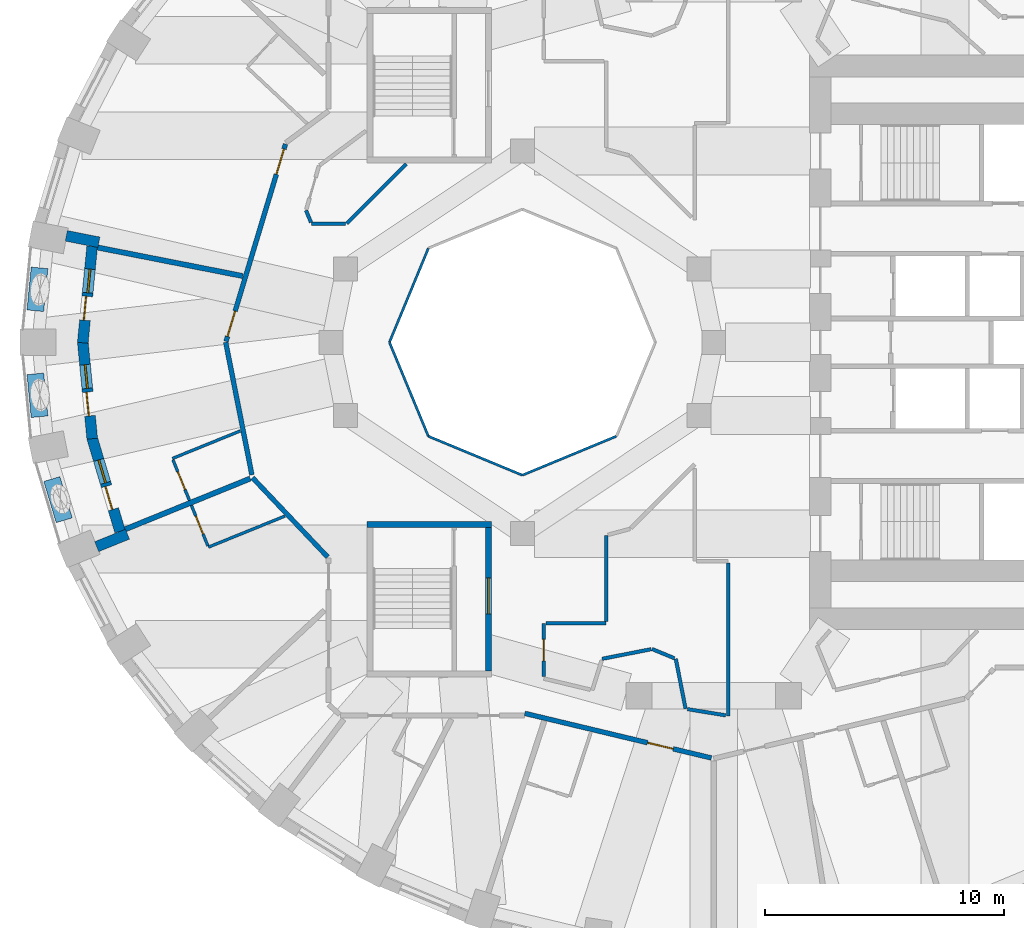
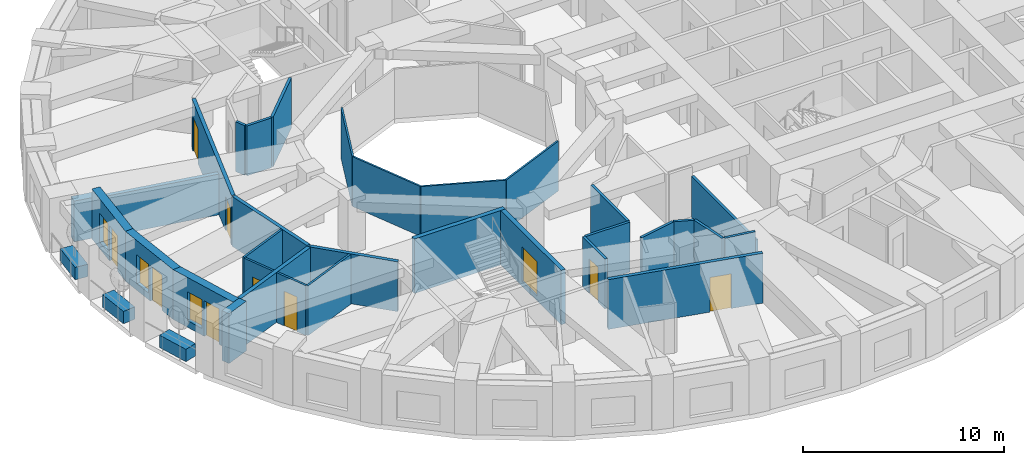
# One storey, part 4 of 14: 35 walls, 10 doors, 3 windows, 13 openings.
"""IFC4 building model written with IfcOpenShell, lengths in metres."""

from ifc_helpers import new_model, si_unit, direction, frame, frame_2d, origin, place, context, subcontext, project, spatial, rectangle, extrude, material, layer, layer_set, constituent, constituent_set, type_object, element, fill, save


model = new_model("IFC4")

# Units and contexts
model_context = context("Model", 3, precision=1e-05, world=origin(), true_north=direction((0.0, 1.0)))
body_context = subcontext(model_context, "Body", "Model", "MODEL_VIEW")
ifc_project = project(units=[si_unit("LENGTHUNIT", "METRE"), si_unit("AREAUNIT", "SQUARE_METRE"), si_unit("VOLUMEUNIT", "CUBIC_METRE"), si_unit("PLANEANGLEUNIT", "RADIAN"), si_unit("MASSUNIT", "GRAM", prefix="KILO")], contexts=[model_context])

# Site, building, storey
site_placement = place(None, origin())
site = spatial("IfcSite", under=ifc_project, at=site_placement, CompositionType="ELEMENT")
building_placement = place(site_placement, origin())
building = spatial("IfcBuilding", under=site, at=building_placement, Name="Taillehof Tower", CompositionType="ELEMENT")
storey_placement = place(building_placement, frame((0.0, 0.0, 25.0)))
storey = spatial("IfcBuildingStorey", under=building, at=storey_placement, Name="L05", CompositionType="ELEMENT", Elevation=25.0)

# Walls
ifc_material_1 = material(Name="Fire-resisting glass in steel frame", Category="steel")
ifc_layer_1 = layer(ifc_material_1, 0.10009765625)
ifc_layer_set_1 = layer_set([ifc_layer_1], Name="Atrium fire-resisting screen EI 60 100")
wall_type_1 = type_object("IfcWallType", Name="Atrium fire-resisting screen EI 60 100", PredefinedType="PARTITIONING", material=ifc_layer_set_1)
for number, where, z_axis, x_axis, name in (
    (1, (-4.07275390625, -3.92724609375, 0.0), (0.0, 0.0, 1.0), (-0.923860025149, -0.382730523909, 0.0), "Atrium screen"),
    (2, (-8.0, -5.55419921875, 0.0), (0.0, 0.0, 1.0), (-0.923860025149, 0.382730523909, 0.0), "Atrium screen"),
    (3, (-11.92724609375, -3.92724609375, 0.0), (0.0, 0.0, 1.0), (-0.382730523909, 0.923860025149, 0.0), "Atrium screen"),
    (4, (-13.55419921875, 0.0, 0.0), (0.0, 0.0, 1.0), (0.382730523909, 0.923860025149, 0.0), "Atrium screen"),
):
    element("IfcWall", number, at=place(storey_placement, frame(where, z_axis=z_axis, x_axis=x_axis)), inside=storey, type_object=wall_type_1, Name=name, PredefinedType="PARTITIONING", context=body_context, shape_type="SweptSolid", body=[
        extrude(rectangle(XDim=4.2509765625, YDim=0.10009765625, at=frame_2d((2.12548828125, 0.0))), origin(), (0.0, 0.0, 1.0), 3.02001953125),
    ])
ifc_material_2 = material(Name="Brick masonry", Category="masonry")
ifc_layer_2 = layer(ifc_material_2, 0.449951171875)
ifc_layer_set_2 = layer_set([ifc_layer_2], Name="Brick infill wall 450")
wall_type_2 = type_object("IfcWallType", Name="Brick infill wall 450", PredefinedType="SOLIDWALL", material=ifc_layer_set_2)
wall_1_placement = place(storey_placement, frame((-27.06396484375, 4.449951171875, 0.0), z_axis=(0.0, 0.0, 1.0), x_axis=(0.98123042829, -0.192838913596, 0.0)))
element("IfcWall", 5, at=wall_1_placement, inside=storey, type_object=wall_type_2, Name="Brick reveal L05 pocket 5", PredefinedType="SOLIDWALL", context=body_context, shape_type="SweptSolid", body=[
    extrude(rectangle(XDim=1.39013671875, YDim=0.449951171875, at=frame_2d((0.695068359375, 0.0))), origin(), (0.0, 0.0, 1.0), 2.469970703125),
])
wall_2_placement = place(storey_placement, frame((-25.795654296875, -8.54443359375, 0.0), z_axis=(0.0, 0.0, 1.0), x_axis=(0.926575599743, 0.376108572039, 0.0)))
element("IfcWall", 6, at=wall_2_placement, inside=storey, type_object=wall_type_2, Name="Brick reveal L05 pocket 5", PredefinedType="SOLIDWALL", context=body_context, shape_type="SweptSolid", body=[
    extrude(rectangle(XDim=1.390380859375, YDim=0.449951171875, at=frame_2d((0.6953125, 0.0))), origin(), (0.0, 0.0, 1.0), 3.02001953125),
])

# Wall, openings, door, window
wall_3_placement = place(storey_placement, frame((-25.982666015625, 4.008056640625, 0.0), z_axis=(0.0, 0.0, 1.0), x_axis=(-0.097133468736, -0.995271364629, 0.0)))
wall_3 = element("IfcWall", 7, at=wall_3_placement, inside=storey, type_object=wall_type_2, Name="Brick wall L05 pocket bay 18", PredefinedType="SOLIDWALL", context=body_context, shape_type="SweptSolid", body=[
    extrude(rectangle(XDim=4.049072265625, YDim=0.449951171875, at=frame_2d((2.0244140625, 0.0))), origin(), (0.0, 0.0, 1.0), 3.02001953125),
])
opening_1_placement = place(wall_3_placement, frame((0.949462890625, 0.0, 0.39990234375)))
opening_1 = element("IfcOpeningElement", 8, at=opening_1_placement, cuts=wall_3, Name="Opening W5", PredefinedType="OPENING", context=body_context, shape_type="SweptSolid", body=[
    extrude(rectangle(XDim=1.0, YDim=1.75, at=frame_2d((0.5, 0.875))), frame((0.0, 0.23486328125, 0.0), z_axis=(0.0, -1.0, 0.0), x_axis=(1.0, 0.0, 0.0)), (0.0, 0.0, 1.0), 0.469970703125),
])
opening_2_placement = place(wall_3_placement, frame((2.099609375, 0.0, 0.0)))
opening_2 = element("IfcOpeningElement", 9, at=opening_2_placement, cuts=wall_3, Name="Opening D0594", PredefinedType="OPENING", context=body_context, shape_type="SweptSolid", body=[
    extrude(rectangle(XDim=1.0, YDim=2.14990234375, at=frame_2d((0.5, 1.074951171875))), frame((0.0, 0.23486328125, 0.0), z_axis=(0.0, -1.0, 0.0), x_axis=(1.0, 0.0, 0.0)), (0.0, 0.0, 1.0), 0.469970703125),
])
ifc_material_3 = material(Name="Aluminium door frame with clear double glazing", Category="aluminium")
door_type_1 = type_object("IfcDoorType", Name="Balcony door 1000x2150", OperationType="SINGLE_SWING_RIGHT", PredefinedType="DOOR", material=ifc_material_3)
door_1_placement = place(opening_2_placement, frame((1.0, 0.0, 0.0), z_axis=(0.0, 0.0, 1.0), x_axis=(-1.0, 0.0, 0.0)))
door_1 = element("IfcDoor", 10, at=door_1_placement, inside=storey, type_object=door_type_1, Name="Balcony door L05 bay 18", OperationType="SINGLE_SWING_RIGHT", OverallHeight=2.14990234375, OverallWidth=1.0, PredefinedType="DOOR", context=body_context, shape_type="SweptSolid", body=[
    extrude(rectangle(XDim=1.0, YDim=2.14990234375, at=frame_2d((0.5, 1.074951171875))), frame((0.0, 0.0751953125, 0.0), z_axis=(0.0, -1.0, 0.0), x_axis=(1.0, 0.0, 0.0)), (0.0, 0.0, 1.0), 0.050048828125),
])
fill(opening_2, door_1)
ifc_material_4 = material(Name="Aluminium window frame with clear double glazing", Category="aluminium")
window_type = type_object("IfcWindowType", Name="Fixed window 1000x1750", PartitioningType="SINGLE_PANEL", PredefinedType="WINDOW", material=ifc_material_4)
window_1_placement = place(opening_1_placement, origin())
window_1 = element("IfcWindow", 11, at=window_1_placement, inside=storey, type_object=window_type, Name="W5", OverallHeight=1.75, OverallWidth=1.0, PartitioningType="SINGLE_PANEL", PredefinedType="WINDOW", context=body_context, shape_type="SweptSolid", body=[
    extrude(rectangle(XDim=1.0, YDim=1.75, at=frame_2d((0.5, 0.875))), frame((0.0, 0.034912109375, 0.0), z_axis=(0.0, -1.0, 0.0), x_axis=(1.0, 0.0, 0.0)), (0.0, 0.0, 1.0), 0.06005859375),
])
fill(opening_1, window_1)

wall_4_placement = place(storey_placement, frame((-26.3759765625, 0.02197265625, 0.0), z_axis=(0.0, 0.0, 1.0), x_axis=(0.097092719726, -0.995275340685, 0.0)))
wall_4 = element("IfcWall", 12, at=wall_4_placement, inside=storey, type_object=wall_type_2, Name="Brick wall L05 pocket bay 19", PredefinedType="SOLIDWALL", context=body_context, shape_type="SweptSolid", body=[
    extrude(rectangle(XDim=4.071044921875, YDim=0.449951171875, at=frame_2d((2.03564453125, 0.0))), origin(), (0.0, 0.0, 1.0), 3.02001953125),
])
opening_3_placement = place(wall_4_placement, frame((0.96044921875, 0.0, 0.39990234375)))
opening_3 = element("IfcOpeningElement", 13, at=opening_3_placement, cuts=wall_4, Name="Opening W5", PredefinedType="OPENING", context=body_context, shape_type="SweptSolid", body=[
    extrude(rectangle(XDim=1.0, YDim=1.75, at=frame_2d((0.5, 0.875))), frame((0.0, 0.23486328125, 0.0), z_axis=(0.0, -1.0, 0.0), x_axis=(1.0, 0.0, 0.0)), (0.0, 0.0, 1.0), 0.469970703125),
])
opening_4_placement = place(wall_4_placement, frame((2.110595703125, 0.0, 0.0)))
opening_4 = element("IfcOpeningElement", 14, at=opening_4_placement, cuts=wall_4, Name="Opening D0595", PredefinedType="OPENING", context=body_context, shape_type="SweptSolid", body=[
    extrude(rectangle(XDim=1.0, YDim=2.14990234375, at=frame_2d((0.5, 1.074951171875))), frame((0.0, 0.23486328125, 0.0), z_axis=(0.0, -1.0, 0.0), x_axis=(1.0, 0.0, 0.0)), (0.0, 0.0, 1.0), 0.469970703125),
])
door_2_placement = place(opening_4_placement, frame((1.0, 0.0, 0.0), z_axis=(0.0, 0.0, 1.0), x_axis=(-1.0, 0.0, 0.0)))
door_2 = element("IfcDoor", 15, at=door_2_placement, inside=storey, type_object=door_type_1, Name="Balcony door L05 bay 19", OperationType="SINGLE_SWING_LEFT", OverallHeight=2.14990234375, OverallWidth=1.0, PredefinedType="DOOR", context=body_context, shape_type="SweptSolid", body=[
    extrude(rectangle(XDim=1.0, YDim=2.14990234375, at=frame_2d((0.5, 1.074951171875))), frame((0.0, 0.0751953125, 0.0), z_axis=(0.0, -1.0, 0.0), x_axis=(1.0, 0.0, 0.0)), (0.0, 0.0, 1.0), 0.050048828125),
])
fill(opening_4, door_2)
window_2_placement = place(opening_3_placement, origin())
window_2 = element("IfcWindow", 16, at=window_2_placement, inside=storey, type_object=window_type, Name="W5", OverallHeight=1.75, OverallWidth=1.0, PartitioningType="SINGLE_PANEL", PredefinedType="WINDOW", context=body_context, shape_type="SweptSolid", body=[
    extrude(rectangle(XDim=1.0, YDim=1.75, at=frame_2d((0.5, 0.875))), frame((0.0, 0.034912109375, 0.0), z_axis=(0.0, -1.0, 0.0), x_axis=(1.0, 0.0, 0.0)), (0.0, 0.0, 1.0), 0.06005859375),
])
fill(opening_3, window_2)

wall_5_placement = place(storey_placement, frame((-25.989013671875, -3.9873046875, 0.0), z_axis=(0.0, 0.0, 1.0), x_axis=(0.286427456555, -0.958101932015, 0.0)))
wall_5 = element("IfcWall", 17, at=wall_5_placement, inside=storey, type_object=wall_type_2, Name="Brick wall L05 pocket bay 20", PredefinedType="SOLIDWALL", context=body_context, shape_type="SweptSolid", body=[
    extrude(rectangle(XDim=4.0888671875, YDim=0.449951171875, at=frame_2d((2.04443359375, 0.0))), origin(), (0.0, 0.0, 1.0), 3.02001953125),
])
opening_5_placement = place(wall_5_placement, frame((0.969482421875, 0.0, 0.39990234375)))
opening_5 = element("IfcOpeningElement", 18, at=opening_5_placement, cuts=wall_5, Name="Opening W5", PredefinedType="OPENING", context=body_context, shape_type="SweptSolid", body=[
    extrude(rectangle(XDim=1.0, YDim=1.75, at=frame_2d((0.5, 0.875))), frame((0.0, 0.23486328125, 0.0), z_axis=(0.0, -1.0, 0.0), x_axis=(1.0, 0.0, 0.0)), (0.0, 0.0, 1.0), 0.469970703125),
])
opening_6_placement = place(wall_5_placement, frame((2.119384765625, 0.0, 0.0)))
opening_6 = element("IfcOpeningElement", 19, at=opening_6_placement, cuts=wall_5, Name="Opening D0596", PredefinedType="OPENING", context=body_context, shape_type="SweptSolid", body=[
    extrude(rectangle(XDim=1.0, YDim=2.14990234375, at=frame_2d((0.5, 1.074951171875))), frame((0.0, 0.23486328125, 0.0), z_axis=(0.0, -1.0, 0.0), x_axis=(1.0, 0.0, 0.0)), (0.0, 0.0, 1.0), 0.469970703125),
])
door_3_placement = place(opening_6_placement, frame((1.0, 0.0, 0.0), z_axis=(0.0, 0.0, 1.0), x_axis=(-1.0, 0.0, 0.0)))
door_3 = element("IfcDoor", 20, at=door_3_placement, inside=storey, type_object=door_type_1, Name="Balcony door L05 bay 20", OperationType="SINGLE_SWING_LEFT", OverallHeight=2.14990234375, OverallWidth=1.0, PredefinedType="DOOR", context=body_context, shape_type="SweptSolid", body=[
    extrude(rectangle(XDim=1.0, YDim=2.14990234375, at=frame_2d((0.5, 1.074951171875))), frame((0.0, 0.0751953125, 0.0), z_axis=(0.0, -1.0, 0.0), x_axis=(1.0, 0.0, 0.0)), (0.0, 0.0, 1.0), 0.050048828125),
])
fill(opening_6, door_3)
window_3_placement = place(opening_5_placement, origin())
window_3 = element("IfcWindow", 21, at=window_3_placement, inside=storey, type_object=window_type, Name="W5", OverallHeight=1.75, OverallWidth=1.0, PartitioningType="SINGLE_PANEL", PredefinedType="WINDOW", context=body_context, shape_type="SweptSolid", body=[
    extrude(rectangle(XDim=1.0, YDim=1.75, at=frame_2d((0.5, 0.875))), frame((0.0, 0.034912109375, 0.0), z_axis=(0.0, -1.0, 0.0), x_axis=(1.0, 0.0, 0.0)), (0.0, 0.0, 1.0), 0.06005859375),
])
fill(opening_5, window_3)

# Wall, opening, door
ifc_material_5 = material(Name="Gypsum board on steel studs, two layers each side", Category="steel")
ifc_layer_3 = layer(ifc_material_5, 0.199951171875)
ifc_layer_set_3 = layer_set([ifc_layer_3], Name="Compartment wall corridor 200")
wall_type_3 = type_object("IfcWallType", Name="Compartment wall corridor 200", PredefinedType="PARTITIONING", material=ifc_layer_set_3)
wall_6_placement = place(storey_placement, frame((-0.09765625, -17.376708984375, 0.0), z_axis=(0.0, 0.0, 1.0), x_axis=(-0.97260043732, 0.232483094708, 0.0)))
wall_6 = element("IfcWall", 22, at=wall_6_placement, inside=storey, type_object=wall_type_3, Name="Compartment wall", PredefinedType="PARTITIONING", context=body_context, shape_type="SweptSolid", body=[
    extrude(rectangle(XDim=8.02197265625, YDim=0.199951171875, at=frame_2d((4.010986328125, 0.0))), origin(), (0.0, 0.0, 1.0), 3.02001953125),
])
opening_7_placement = place(wall_6_placement, frame((1.64306640625, 0.0, 0.0)))
opening_7 = element("IfcOpeningElement", 23, at=opening_7_placement, cuts=wall_6, Name="Opening D0562", PredefinedType="OPENING", context=body_context, shape_type="SweptSolid", body=[
    extrude(rectangle(XDim=1.10009765625, YDim=2.10009765625, at=frame_2d((0.550048828125, 1.050048828125))), frame((0.0, 0.10986328125, 0.0), z_axis=(0.0, -1.0, 0.0), x_axis=(1.0, 0.0, 0.0)), (0.0, 0.0, 1.0), 0.219970703125),
])
ifc_material_6 = material(Name="Timber door leaf in steel frame", Category="steel")
door_type_2 = type_object("IfcDoorType", Name="Suite entrance door EI 30 1100 x 2100", OperationType="SINGLE_SWING_LEFT", PredefinedType="DOOR", material=ifc_material_6)
door_4_placement = place(opening_7_placement, origin())
door_4 = element("IfcDoor", 24, at=door_4_placement, inside=storey, type_object=door_type_2, Name="D0562", OperationType="SINGLE_SWING_LEFT", OverallHeight=2.10009765625, OverallWidth=1.10009765625, PredefinedType="DOOR", context=body_context, shape_type="SweptSolid", body=[
    extrude(rectangle(XDim=1.10009765625, YDim=2.10009765625, at=frame_2d((0.550048828125, 1.050048828125))), frame((0.0, 0.02490234375, 0.0), z_axis=(0.0, -1.0, 0.0), x_axis=(1.0, 0.0, 0.0)), (0.0, 0.0, 1.0), 0.050048828125),
])
fill(opening_7, door_4)

# Walls
wall_7_placement = place(storey_placement, frame((-16.14111328125, -8.973876953125, 0.0), z_axis=(0.0, 0.0, 1.0), x_axis=(-0.687741683024, 0.725955492735, 0.0)))
element("IfcWall", 25, at=wall_7_placement, inside=storey, type_object=wall_type_3, Name="Compartment wall", PredefinedType="PARTITIONING", context=body_context, shape_type="SweptSolid", body=[
    extrude(rectangle(XDim=4.568115234375, YDim=0.199951171875, at=frame_2d((2.2841796875, 0.0))), origin(), (0.0, 0.0, 1.0), 3.02001953125),
])
wall_8_placement = place(storey_placement, frame((-19.30615234375, -5.54052734375, 0.0), z_axis=(0.0, 0.0, 1.0), x_axis=(-0.193671356151, 0.981066463501, 0.0)))
element("IfcWall", 26, at=wall_8_placement, inside=storey, type_object=wall_type_3, Name="Compartment wall", PredefinedType="PARTITIONING", context=body_context, shape_type="SweptSolid", body=[
    extrude(rectangle(XDim=5.6474609375, YDim=0.199951171875, at=frame_2d((2.82373046875, 0.0))), origin(), (0.0, 0.0, 1.0), 3.02001953125),
])

# Wall, openings, doors
wall_9_placement = place(storey_placement, frame((-20.38818359375, 0.0380859375, 0.0), z_axis=(0.0, 0.0, 1.0), x_axis=(0.288600779805, 0.957449523419, 0.0)))
wall_9 = element("IfcWall", 27, at=wall_9_placement, inside=storey, type_object=wall_type_3, Name="Compartment wall", PredefinedType="PARTITIONING", context=body_context, shape_type="SweptSolid", body=[
    extrude(rectangle(XDim=8.614990234375, YDim=0.199951171875, at=frame_2d((4.3076171875, 0.0))), origin(), (0.0, 0.0, 1.0), 3.02001953125),
])
opening_8_placement = place(wall_9_placement, frame((7.295166015625, 0.0, 0.0)))
opening_8 = element("IfcOpeningElement", 28, at=opening_8_placement, cuts=wall_9, Name="Opening D0552", PredefinedType="OPENING", context=body_context, shape_type="SweptSolid", body=[
    extrude(rectangle(XDim=1.10009765625, YDim=2.10009765625, at=frame_2d((0.550048828125, 1.050048828125))), frame((0.0, 0.10986328125, 0.0), z_axis=(0.0, -1.0, 0.0), x_axis=(1.0, 0.0, 0.0)), (0.0, 0.0, 1.0), 0.219970703125),
])
opening_9_placement = place(wall_9_placement, frame((0.219970703125, 0.0, 0.0)))
opening_9 = element("IfcOpeningElement", 29, at=opening_9_placement, cuts=wall_9, Name="Opening D0554", PredefinedType="OPENING", context=body_context, shape_type="SweptSolid", body=[
    extrude(rectangle(XDim=1.10009765625, YDim=2.10009765625, at=frame_2d((0.550048828125, 1.050048828125))), frame((0.0, 0.10986328125, 0.0), z_axis=(0.0, -1.0, 0.0), x_axis=(1.0, 0.0, 0.0)), (0.0, 0.0, 1.0), 0.219970703125),
])
door_5_placement = place(opening_8_placement, origin())
door_5 = element("IfcDoor", 30, at=door_5_placement, inside=storey, type_object=door_type_2, Name="D0552", OperationType="SINGLE_SWING_RIGHT", OverallHeight=2.10009765625, OverallWidth=1.10009765625, PredefinedType="DOOR", context=body_context, shape_type="SweptSolid", body=[
    extrude(rectangle(XDim=1.10009765625, YDim=2.10009765625, at=frame_2d((0.550048828125, 1.050048828125))), frame((0.0, 0.02490234375, 0.0), z_axis=(0.0, -1.0, 0.0), x_axis=(1.0, 0.0, 0.0)), (0.0, 0.0, 1.0), 0.050048828125),
])
fill(opening_8, door_5)
door_6_placement = place(opening_9_placement, origin())
door_6 = element("IfcDoor", 31, at=door_6_placement, inside=storey, type_object=door_type_2, Name="D0554", OperationType="SINGLE_SWING_RIGHT", OverallHeight=2.10009765625, OverallWidth=1.10009765625, PredefinedType="DOOR", context=body_context, shape_type="SweptSolid", body=[
    extrude(rectangle(XDim=1.10009765625, YDim=2.10009765625, at=frame_2d((0.550048828125, 1.050048828125))), frame((0.0, 0.02490234375, 0.0), z_axis=(0.0, -1.0, 0.0), x_axis=(1.0, 0.0, 0.0)), (0.0, 0.0, 1.0), 0.050048828125),
])
fill(opening_9, door_6)

# Walls
ifc_material_7 = material(Name="Gypsum board on double steel studs with mineral wool", Category="steel")
ifc_layer_4 = layer(ifc_material_7, 0.219970703125)
ifc_layer_set_4 = layer_set([ifc_layer_4], Name="Compartment wall guest room 220")
wall_type_4 = type_object("IfcWallType", Name="Compartment wall guest room 220", PredefinedType="PARTITIONING", material=ifc_layer_set_4)
wall_10_placement = place(storey_placement, frame((-25.760986328125, 3.96435546875, 0.0), z_axis=(0.0, 0.0, 1.0), x_axis=(0.981209888948, -0.192943395406, 0.0)))
element("IfcWall", 32, at=wall_10_placement, inside=storey, type_object=wall_type_4, Name="Compartment wall", PredefinedType="PARTITIONING", context=body_context, shape_type="SweptSolid", body=[
    extrude(rectangle(XDim=6.1875, YDim=0.219970703125, at=frame_2d((3.09375, 0.0))), origin(), (0.0, 0.0, 1.0), 2.469970703125),
])
wall_11_placement = place(storey_placement, frame((-24.6083984375, -7.81982421875, 0.0), z_axis=(0.0, 0.0, 1.0), x_axis=(0.926565467624, 0.376133532415, 0.0)))
element("IfcWall", 33, at=wall_11_placement, inside=storey, type_object=wall_type_4, Name="Compartment wall", PredefinedType="PARTITIONING", context=body_context, shape_type="SweptSolid", body=[
    extrude(rectangle(XDim=5.647705078125, YDim=0.219970703125, at=frame_2d((2.82373046875, 0.0))), origin(), (0.0, 0.0, 1.0), 3.02001953125),
])
ifc_material_8 = material(Name="Gypsum board on steel studs, two layers each side", Category="steel")
ifc_layer_5 = layer(ifc_material_8, 0.14990234375)
ifc_layer_set_5 = layer_set([ifc_layer_5], Name="Compartment wall service room 150")
wall_type_5 = type_object("IfcWallType", Name="Compartment wall service room 150", PredefinedType="PARTITIONING", material=ifc_layer_set_5)
wall_12_placement = place(storey_placement, frame((-12.847412109375, 7.456298828125, 0.0), z_axis=(0.0, 0.0, 1.0), x_axis=(-0.707072180997, -0.707141379683, 0.0)))
element("IfcWall", 34, at=wall_12_placement, inside=storey, type_object=wall_type_5, Name="Compartment wall", PredefinedType="PARTITIONING", context=body_context, shape_type="SweptSolid", body=[
    extrude(rectangle(XDim=3.528076171875, YDim=0.14990234375, at=frame_2d((1.76416015625, 0.0))), origin(), (0.0, 0.0, 1.0), 3.02001953125),
])
wall_13_placement = place(storey_placement, frame((-15.402099609375, 4.96142578125, 0.0), z_axis=(0.0, 0.0, 1.0), x_axis=(-0.999994001087, -0.003463782477, 0.0)))
element("IfcWall", 35, at=wall_13_placement, inside=storey, type_object=wall_type_5, Name="Compartment wall", PredefinedType="PARTITIONING", context=body_context, shape_type="SweptSolid", body=[
    extrude(rectangle(XDim=1.40966796875, YDim=0.14990234375, at=frame_2d((0.704833984375, 0.0))), origin(), (0.0, 0.0, 1.0), 3.02001953125),
])
wall_14_placement = place(storey_placement, frame((-16.83447265625, 5.01220703125, 0.0), z_axis=(0.0, 0.0, 1.0), x_axis=(-0.384455737739, 0.923143426408, 0.0)))
element("IfcWall", 36, at=wall_14_placement, inside=storey, type_object=wall_type_5, Name="Compartment wall", PredefinedType="PARTITIONING", context=body_context, shape_type="SweptSolid", body=[
    extrude(rectangle(XDim=0.54296875, YDim=0.14990234375, at=frame_2d((0.271484375, 0.0))), origin(), (0.0, 0.0, 1.0), 3.02001953125),
])
wall_15_placement = place(storey_placement, frame((-1.17578125, -15.322021484375, 0.0), z_axis=(0.0, 0.0, 1.0), x_axis=(-0.192477233237, 0.981301439256, 0.0)))
element("IfcWall", 37, at=wall_15_placement, inside=storey, type_object=wall_type_5, Name="Compartment wall", PredefinedType="PARTITIONING", context=body_context, shape_type="SweptSolid", body=[
    extrude(rectangle(XDim=2.129638671875, YDim=0.14990234375, at=frame_2d((1.06494140625, 0.0))), origin(), (0.0, 0.0, 1.0), 3.02001953125),
])
wall_16_placement = place(storey_placement, frame((-1.641357421875, -13.20947265625, 0.0), z_axis=(0.0, 0.0, 1.0), x_axis=(-0.923725449546, 0.383055209937, 0.0)))
element("IfcWall", 38, at=wall_16_placement, inside=storey, type_object=wall_type_5, Name="Compartment wall", PredefinedType="PARTITIONING", context=body_context, shape_type="SweptSolid", body=[
    extrude(rectangle(XDim=1.011474609375, YDim=0.14990234375, at=frame_2d((0.505859375, 0.0))), origin(), (0.0, 0.0, 1.0), 3.02001953125),
])
wall_17_placement = place(storey_placement, frame((-2.61474609375, -12.829833984375, 0.0), z_axis=(0.0, 0.0, 1.0), x_axis=(-0.981297312652, -0.192498270593, 0.0)))
element("IfcWall", 39, at=wall_17_placement, inside=storey, type_object=wall_type_5, Name="Compartment wall", PredefinedType="PARTITIONING", context=body_context, shape_type="SweptSolid", body=[
    extrude(rectangle(XDim=2.090087890625, YDim=0.14990234375, at=frame_2d((1.044921875, 0.0))), origin(), (0.0, 0.0, 1.0), 3.02001953125),
])

# Wall, opening, door
wall_18_placement = place(storey_placement, frame((-7.10009765625, -13.977783203125, 0.0), z_axis=(0.0, 0.0, 1.0), x_axis=(0.0, 1.0, 0.0)))
wall_18 = element("IfcWall", 40, at=wall_18_placement, inside=storey, type_object=wall_type_5, Name="Compartment wall", PredefinedType="PARTITIONING", context=body_context, shape_type="SweptSolid", body=[
    extrude(rectangle(XDim=2.227783203125, YDim=0.14990234375, at=frame_2d((1.11376953125, 0.0))), origin(), (0.0, 0.0, 1.0), 3.02001953125),
])
opening_10_placement = place(wall_18_placement, frame((0.663818359375, 0.0, 0.0)))
opening_10 = element("IfcOpeningElement", 41, at=opening_10_placement, cuts=wall_18, Name="Opening D0576", PredefinedType="OPENING", context=body_context, shape_type="SweptSolid", body=[
    extrude(rectangle(XDim=0.89990234375, YDim=2.10009765625, at=frame_2d((0.449951171875, 1.050048828125))), frame((0.0, 0.0849609375, 0.0), z_axis=(0.0, -1.0, 0.0), x_axis=(1.0, 0.0, 0.0)), (0.0, 0.0, 1.0), 0.169921875),
])
ifc_material_9 = material(Name="Timber door leaf in steel frame", Category="steel")
door_type_3 = type_object("IfcDoorType", Name="Service room door EI 30 900 x 2100", OperationType="SINGLE_SWING_LEFT", PredefinedType="DOOR", material=ifc_material_9)
door_7_placement = place(opening_10_placement, origin())
door_7 = element("IfcDoor", 42, at=door_7_placement, inside=storey, type_object=door_type_3, Name="D0576", OperationType="SINGLE_SWING_LEFT", OverallHeight=2.10009765625, OverallWidth=0.89990234375, PredefinedType="DOOR", context=body_context, shape_type="SweptSolid", body=[
    extrude(rectangle(XDim=0.89990234375, YDim=2.10009765625, at=frame_2d((0.449951171875, 1.050048828125))), frame((0.0, 0.02490234375, 0.0), z_axis=(0.0, -1.0, 0.0), x_axis=(1.0, 0.0, 0.0)), (0.0, 0.0, 1.0), 0.050048828125),
])
fill(opening_10, door_7)

# Walls
wall_19_placement = place(storey_placement, frame((-7.02001953125, -11.75, 0.0), z_axis=(0.0, 0.0, 1.0), x_axis=(1.0, 0.0, 0.0)))
element("IfcWall", 43, at=wall_19_placement, inside=storey, type_object=wall_type_5, Name="Compartment wall", PredefinedType="PARTITIONING", context=body_context, shape_type="SweptSolid", body=[
    extrude(rectangle(XDim=2.52001953125, YDim=0.14990234375, at=frame_2d((1.260009765625, 0.0))), origin(), (0.0, 0.0, 1.0), 3.02001953125),
])
wall_20_placement = place(storey_placement, frame((-4.5, -11.669921875, 0.0), z_axis=(0.0, 0.0, 1.0), x_axis=(0.0, 1.0, 0.0)))
element("IfcWall", 44, at=wall_20_placement, inside=storey, type_object=wall_type_5, Name="Compartment wall", PredefinedType="PARTITIONING", context=body_context, shape_type="SweptSolid", body=[
    extrude(rectangle(XDim=3.600830078125, YDim=0.14990234375, at=frame_2d((1.80029296875, 0.0))), origin(), (0.0, 0.0, 1.0), 3.02001953125),
])
wall_21_placement = place(storey_placement, frame((0.60009765625, -9.22998046875, 0.0), z_axis=(0.0, 0.0, 1.0), x_axis=(0.0, -1.0, 0.0)))
element("IfcWall", 45, at=wall_21_placement, inside=storey, type_object=wall_type_5, Name="Compartment wall", PredefinedType="PARTITIONING", context=body_context, shape_type="SweptSolid", body=[
    extrude(rectangle(XDim=6.381591796875, YDim=0.14990234375, at=frame_2d((3.19091796875, 0.0))), origin(), (0.0, 0.0, 1.0), 2.469970703125),
])
wall_22_placement = place(storey_placement, frame((0.501220703125, -15.595703125, 0.0), z_axis=(0.0, 0.0, 1.0), x_axis=(-0.986922601781, 0.161194845119, 0.0)))
element("IfcWall", 46, at=wall_22_placement, inside=storey, type_object=wall_type_5, Name="Compartment wall", PredefinedType="PARTITIONING", context=body_context, shape_type="SweptSolid", body=[
    extrude(rectangle(XDim=1.619140625, YDim=0.14990234375, at=frame_2d((0.8095703125, 0.0))), origin(), (0.0, 0.0, 1.0), 3.02001953125),
])
ifc_material_10 = material(Name="Gypsum board on steel studs, moisture resistant", Category="steel")
ifc_layer_6 = layer(ifc_material_10, 0.1201171875)
ifc_layer_set_6 = layer_set([ifc_layer_6], Name="En-suite wall 120")
wall_type_6 = type_object("IfcWallType", Name="En-suite wall 120", PredefinedType="PARTITIONING", material=ifc_layer_set_6)
wall_23_placement = place(storey_placement, frame((-19.790283203125, -3.705322265625, 0.0), z_axis=(0.0, 0.0, 1.0), x_axis=(-0.926585481443, -0.37608422671, 0.0)))
element("IfcWall", 47, at=wall_23_placement, inside=storey, type_object=wall_type_6, Name="En-suite wall", PredefinedType="PARTITIONING", context=body_context, shape_type="SweptSolid", body=[
    extrude(rectangle(XDim=3.06396484375, YDim=0.1201171875, at=frame_2d((1.531982421875, 0.0))), origin(), (0.0, 0.0, 1.0), 3.02001953125),
])
wall_24_placement = place(storey_placement, frame((-17.923828125, -7.264404296875, 0.0), z_axis=(0.0, 0.0, 1.0), x_axis=(-0.926548953408, -0.376174210891, 0.0)))
element("IfcWall", 48, at=wall_24_placement, inside=storey, type_object=wall_type_6, Name="En-suite wall", PredefinedType="PARTITIONING", context=body_context, shape_type="SweptSolid", body=[
    extrude(rectangle(XDim=3.45458984375, YDim=0.1201171875, at=frame_2d((1.727294921875, 0.0))), origin(), (0.0, 0.0, 1.0), 3.02001953125),
])

# Wall, opening, door
wall_25_placement = place(storey_placement, frame((-22.60693359375, -4.913330078125, 0.0), z_axis=(0.0, 0.0, 1.0), x_axis=(0.376216010002, -0.92653198208, 0.0)))
wall_25 = element("IfcWall", 49, at=wall_25_placement, inside=storey, type_object=wall_type_6, Name="En-suite wall", PredefinedType="PARTITIONING", context=body_context, shape_type="SweptSolid", body=[
    extrude(rectangle(XDim=1.830078125, YDim=0.1201171875, at=frame_2d((0.9150390625, 0.0))), origin(), (0.0, 0.0, 1.0), 3.02001953125),
])
opening_11_placement = place(wall_25_placement, frame((0.5400390625, 0.0, 0.0)))
opening_11 = element("IfcOpeningElement", 50, at=opening_11_placement, cuts=wall_25, Name="Opening D0555", PredefinedType="OPENING", context=body_context, shape_type="SweptSolid", body=[
    extrude(rectangle(XDim=0.800048828125, YDim=2.10009765625, at=frame_2d((0.39990234375, 1.050048828125))), frame((0.0, 0.070068359375, 0.0), z_axis=(0.0, -1.0, 0.0), x_axis=(1.0, 0.0, 0.0)), (0.0, 0.0, 1.0), 0.14013671875),
])
ifc_material_11 = material(Name="Timber door leaf in steel frame", Category="steel")
door_type_4 = type_object("IfcDoorType", Name="En-suite door 800 x 2100", OperationType="SINGLE_SWING_LEFT", PredefinedType="DOOR", material=ifc_material_11)
door_8_placement = place(opening_11_placement, origin())
door_8 = element("IfcDoor", 51, at=door_8_placement, inside=storey, type_object=door_type_4, Name="D0555", OperationType="SINGLE_SWING_LEFT", OverallHeight=2.10009765625, OverallWidth=0.800048828125, PredefinedType="DOOR", context=body_context, shape_type="SweptSolid", body=[
    extrude(rectangle(XDim=0.800048828125, YDim=2.10009765625, at=frame_2d((0.39990234375, 1.050048828125))), frame((0.0, 0.02490234375, 0.0), z_axis=(0.0, -1.0, 0.0), x_axis=(1.0, 0.0, 0.0)), (0.0, 0.0, 1.0), 0.050048828125),
])
fill(opening_11, door_8)

wall_26_placement = place(storey_placement, frame((-21.147216796875, -8.50830078125, 0.0), z_axis=(0.0, 0.0, 1.0), x_axis=(-0.376216010002, 0.92653198208, 0.0)))
wall_26 = element("IfcWall", 52, at=wall_26_placement, inside=storey, type_object=wall_type_6, Name="En-suite wall", PredefinedType="PARTITIONING", context=body_context, shape_type="SweptSolid", body=[
    extrude(rectangle(XDim=1.830078125, YDim=0.1201171875, at=frame_2d((0.9150390625, 0.0))), origin(), (0.0, 0.0, 1.0), 3.02001953125),
])
opening_12_placement = place(wall_26_placement, frame((0.5400390625, 0.0, 0.0)))
opening_12 = element("IfcOpeningElement", 53, at=opening_12_placement, cuts=wall_26, Name="Opening D0557", PredefinedType="OPENING", context=body_context, shape_type="SweptSolid", body=[
    extrude(rectangle(XDim=0.800048828125, YDim=2.10009765625, at=frame_2d((0.39990234375, 1.050048828125))), frame((0.0, 0.070068359375, 0.0), z_axis=(0.0, -1.0, 0.0), x_axis=(1.0, 0.0, 0.0)), (0.0, 0.0, 1.0), 0.14013671875),
])
door_9_placement = place(opening_12_placement, origin())
door_9 = element("IfcDoor", 54, at=door_9_placement, inside=storey, type_object=door_type_4, Name="D0557", OperationType="SINGLE_SWING_RIGHT", OverallHeight=2.10009765625, OverallWidth=0.800048828125, PredefinedType="DOOR", context=body_context, shape_type="SweptSolid", body=[
    extrude(rectangle(XDim=0.800048828125, YDim=2.10009765625, at=frame_2d((0.39990234375, 1.050048828125))), frame((0.0, 0.02490234375, 0.0), z_axis=(0.0, -1.0, 0.0), x_axis=(1.0, 0.0, 0.0)), (0.0, 0.0, 1.0), 0.050048828125),
])
fill(opening_12, door_9)

# Walls
ifc_material_12 = material(Name="Concrete C30/37 precast", Category="concrete")
ifc_constituent_1 = constituent(ifc_material_12, Name="Structure", Category="concrete")
ifc_material_13 = material(Name="Insulated lining")
ifc_constituent_2 = constituent(ifc_material_13, Name="Lining")
ifc_constituent_set = constituent_set(constituents=[ifc_constituent_1, ifc_constituent_2], Name="Planter trough 700x750")
wall_type_7 = type_object("IfcWallType", Name="Planter trough 700x750", PredefinedType="USERDEFINED", material=ifc_constituent_set)
for number, where, z_axis, x_axis, name in (
    (55, (-28.18310546875, 3.11083984375, 0.0), (0.0, 0.0, 1.0), (-0.097381768628, -0.995247100543, 0.0), "Planter L05 bay 18"),
    (56, (-28.3583984375, -1.3193359375, 0.0), (0.0, 0.0, 1.0), (0.097381768628, -0.995247100543, 0.0), "Planter L05 bay 19"),
):
    element("IfcWall", number, at=place(storey_placement, frame(where, z_axis=z_axis, x_axis=x_axis)), inside=storey, type_object=wall_type_7, Name=name, ObjectType="PLANTER", PredefinedType="USERDEFINED", context=body_context, shape_type="SweptSolid", body=[
        extrude(rectangle(XDim=1.800048828125, YDim=0.699951171875, at=frame_2d((0.89990234375, 0.0))), origin(), (0.0, 0.0, 1.0), 0.75),
    ])
wall_27_placement = place(storey_placement, frame((-27.668701171875, -5.71533203125, 0.0), z_axis=(0.0, 0.0, 1.0), x_axis=(0.287024312863, -0.957923297465, 0.0)))
element("IfcWall", 57, at=wall_27_placement, inside=storey, type_object=wall_type_7, Name="Planter L05 bay 20", ObjectType="PLANTER", PredefinedType="USERDEFINED", context=body_context, shape_type="SweptSolid", body=[
    extrude(rectangle(XDim=1.7998046875, YDim=0.699951171875, at=frame_2d((0.89990234375, 0.0))), origin(), (0.0, 0.0, 1.0), 0.75),
])

# Wall, opening, door
ifc_material_14 = material(Name="Concrete C50/60", Category="concrete")
ifc_layer_7 = layer(ifc_material_14, 0.25)
ifc_layer_set_7 = layer_set([ifc_layer_7], Name="Stair wall C50/60 250")
wall_type_8 = type_object("IfcWallType", Name="Stair wall C50/60 250", PredefinedType="SHEAR", material=ifc_layer_set_7)
wall_28_placement = place(storey_placement, frame((-9.425048828125, -13.75, -0.280029296875), z_axis=(0.0, 0.0, 1.0), x_axis=(0.0, 1.0, 0.0)))
wall_28 = element("IfcWall", 58, at=wall_28_placement, inside=storey, type_object=wall_type_8, Name="Stair wall SC", PredefinedType="SHEAR", context=body_context, shape_type="SweptSolid", body=[
    extrude(rectangle(XDim=6.0, YDim=0.25, at=frame_2d((3.0, 0.0))), origin(), (0.0, 0.0, 1.0), 3.300048828125),
])
opening_13_placement = place(wall_28_placement, frame((2.39990234375, 0.0, 0.280029296875)))
opening_13 = element("IfcOpeningElement", 59, at=opening_13_placement, cuts=wall_28, Name="Opening D0520", PredefinedType="OPENING", context=body_context, shape_type="SweptSolid", body=[
    extrude(rectangle(XDim=1.5, YDim=2.10009765625, at=frame_2d((0.75, 1.050048828125))), frame((0.0, 0.135009765625, 0.0), z_axis=(0.0, -1.0, 0.0), x_axis=(1.0, 0.0, 0.0)), (0.0, 0.0, 1.0), 0.27001953125),
])
ifc_material_15 = material(Name="Steel-faced fire door", Category="steel")
door_type_5 = type_object("IfcDoorType", Name="Stair door 1500x2100", OperationType="DOUBLE_DOOR_SINGLE_SWING", PredefinedType="DOOR", material=ifc_material_15)
door_10_placement = place(opening_13_placement, origin())
door_10 = element("IfcDoor", 60, at=door_10_placement, inside=storey, type_object=door_type_5, Name="Stair door S4", OperationType="DOUBLE_DOOR_SINGLE_SWING", OverallHeight=2.10009765625, OverallWidth=1.5, PredefinedType="DOOR", context=body_context, shape_type="SweptSolid", body=[
    extrude(rectangle(XDim=1.5, YDim=2.10009765625, at=frame_2d((0.75, 1.050048828125))), frame((0.0, 0.02490234375, 0.0), z_axis=(0.0, -1.0, 0.0), x_axis=(1.0, 0.0, 0.0)), (0.0, 0.0, 1.0), 0.050048828125),
])
fill(opening_13, door_10)

# Wall
wall_29_placement = place(storey_placement, frame((-14.5, -7.625, -0.280029296875), z_axis=(0.0, 0.0, 1.0), x_axis=(1.0, 0.0, 0.0)))
element("IfcWall", 61, at=wall_29_placement, inside=storey, type_object=wall_type_8, Name="Stair wall SC", PredefinedType="SHEAR", context=body_context, shape_type="SweptSolid", body=[
    extrude(rectangle(XDim=5.199951171875, YDim=0.25, at=frame_2d((2.60009765625, 0.0))), origin(), (0.0, 0.0, 1.0), 3.300048828125),
])

save(model, "model.ifc")
